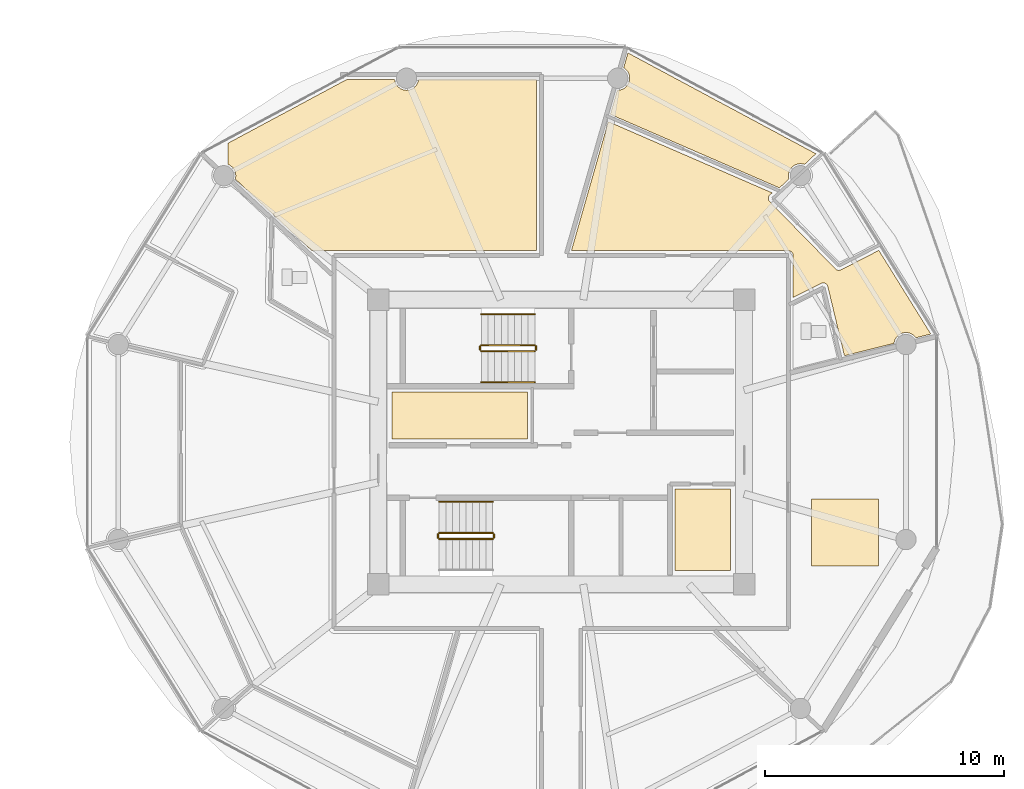
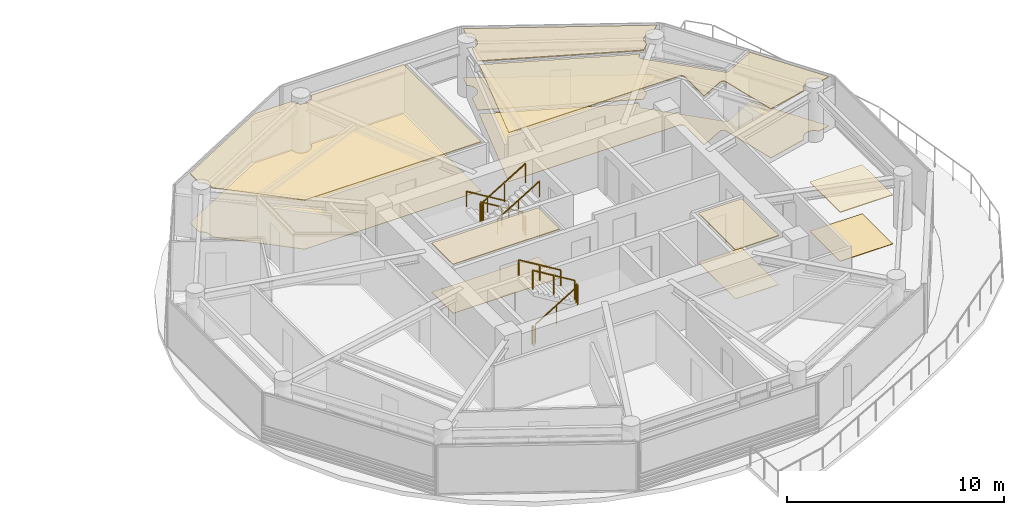
# One storey, part 23 of 25: 12 coverings, 11 railings.
"""IFC4 building model written with IfcOpenShell, lengths in metres."""

from ifc_helpers import new_model, si_unit, direction, frame, origin, origin_2d, place, context, subcontext, project, spatial, polyline, rectangle, outline, extrude, material, layer, layer_set, type_object, element, save


model = new_model("IFC4")

# Units and contexts
model_context = context("Model", 3, precision=1e-05, world=origin(), true_north=direction((0.0, 1.0)))
body_context = subcontext(model_context, "Body", "Model", "MODEL_VIEW")
ifc_project = project(units=[si_unit("LENGTHUNIT", "METRE"), si_unit("AREAUNIT", "SQUARE_METRE"), si_unit("VOLUMEUNIT", "CUBIC_METRE"), si_unit("PLANEANGLEUNIT", "RADIAN"), si_unit("MASSUNIT", "GRAM", prefix="KILO")], contexts=[model_context])

# Site, building, storey
site_placement = place(None, origin())
site = spatial("IfcSite", under=ifc_project, at=site_placement, CompositionType="ELEMENT")
building_placement = place(site_placement, origin())
building = spatial("IfcBuilding", under=site, at=building_placement, Name="Norrkilde Senior Care Towers", CompositionType="ELEMENT")
storey_placement = place(building_placement, frame((0.0, 0.0, 99.300048828125)))
storey = spatial("IfcBuildingStorey", under=building, at=storey_placement, Name="L30", CompositionType="ELEMENT", Elevation=99.300048828125)

# Coverings
ifc_material_1 = material(Name="Nordic Ash Timber", Category="wood")
ifc_layer_1 = layer(ifc_material_1, 0.044921875)
ifc_layer_set_1 = layer_set([ifc_layer_1], Name="Nordic Ash Timber")
covering_type_1 = type_object("IfcCoveringType", Name="Acoustic Ash Timber Slatted Ceiling 45", PredefinedType="CEILING", material=ifc_layer_set_1)
covering_1_placement = place(storey_placement, frame((0.0, 0.0, 2.744873046875)))
element("IfcCovering", 1, at=covering_1_placement, inside=storey, type_object=covering_type_1, Name="L30 Suspended Ceiling 0257", PredefinedType="CEILING", context=body_context, shape_type="SweptSolid", body=[
    extrude(outline(polyline([(20.919921875, 0.1201171875), (20.919921875, 2.090087890625), (26.60009765625, 2.090087890625), (26.60009765625, 0.1201171875), (20.919921875, 0.1201171875)])), origin(), (0.0, 0.0, 1.0), 0.045166015625),
])
covering_2_placement = place(storey_placement, frame((0.0, 0.0, 2.744873046875)))
element("IfcCovering", 2, at=covering_2_placement, inside=storey, type_object=covering_type_1, Name="L30 Suspended Ceiling 0258", PredefinedType="CEILING", context=body_context, shape_type="SweptSolid", body=[
    extrude(outline(polyline([(32.77001953125, -5.3798828125), (32.77001953125, -1.969970703125), (35.080078125, -1.969970703125), (35.080078125, -5.3798828125), (32.77001953125, -5.3798828125)])), origin(), (0.0, 0.0, 1.0), 0.045166015625),
])
covering_3_placement = place(storey_placement, frame((0.0, 0.0, 2.744873046875)))
element("IfcCovering", 3, at=covering_3_placement, inside=storey, type_object=covering_type_1, Name="L30 Suspended Ceiling 0259", PredefinedType="CEILING", context=body_context, shape_type="SweptSolid", body=[
    extrude(outline(polyline([(21.04931640625, 15.08251953125), (21.099853515625, 14.9609375), (21.179931640625, 14.856201171875), (21.28466796875, 14.77587890625), (21.406494140625, 14.7255859375), (21.537109375, 14.708251953125), (21.667724609375, 14.7255859375), (21.78955078125, 14.77587890625), (21.894287109375, 14.856201171875), (21.974365234375, 14.9609375), (22.02490234375, 15.08251953125), (22.036376953125, 15.169921875), (26.97998046875, 15.169921875), (26.97998046875, 8.0), (17.579345703125, 8.0), (14.377685546875, 10.9970703125), (14.381591796875, 11.00634765625), (14.39892578125, 11.136962890625), (14.381591796875, 11.267578125), (14.3310546875, 11.389404296875), (14.2509765625, 11.494140625), (14.146240234375, 11.57421875), (14.070068359375, 11.60595703125), (14.070068359375, 12.496826171875), (19.053466796875, 15.169921875), (21.037841796875, 15.169921875), (21.04931640625, 15.08251953125)])), origin(), (0.0, 0.0, 1.0), 0.045166015625),
])
covering_4_placement = place(storey_placement, frame((0.0, 0.0, 2.744873046875)))
element("IfcCovering", 4, at=covering_4_placement, inside=storey, type_object=covering_type_1, Name="L30 Suspended Ceiling 0268", PredefinedType="CEILING", context=body_context, shape_type="SweptSolid", body=[
    extrude(outline(polyline([(38.4609375, -5.171630859375), (38.4609375, -2.37158203125), (41.260986328125, -2.37158203125), (41.260986328125, -5.171630859375), (38.4609375, -5.171630859375)])), origin(), (0.0, 0.0, 1.0), 0.045166015625),
])
covering_5_placement = place(storey_placement, frame((0.0, 0.0, 2.744873046875)))
element("IfcCovering", 5, at=covering_5_placement, inside=storey, type_object=covering_type_1, Name="L30 Suspended Ceiling 0269", PredefinedType="CEILING", context=body_context, shape_type="SweptSolid", body=[
    extrude(outline(polyline([(37.69287109375, 7.852294921875), (37.689453125, 7.86376953125), (37.68701171875, 7.87109375), (37.682373046875, 7.8818359375), (37.678955078125, 7.888916015625), (37.673583984375, 7.8994140625), (37.66943359375, 7.90625), (37.662841796875, 7.916015625), (37.658203125, 7.92236328125), (37.65087890625, 7.931396484375), (37.6455078125, 7.937255859375), (37.63720703125, 7.945556640625), (37.63134765625, 7.95068359375), (37.622314453125, 7.958251953125), (37.615966796875, 7.962890625), (37.606201171875, 7.969482421875), (37.599365234375, 7.973388671875), (37.589111328125, 7.97900390625), (37.58203125, 7.982421875), (37.571044921875, 7.98681640625), (37.563720703125, 7.989501953125), (37.552490234375, 7.992919921875), (37.544677734375, 7.994873046875), (37.533203125, 7.9970703125), (37.525390625, 7.998291015625), (37.513671875, 7.99951171875), (37.505859375, 7.999755859375), (37.5, 8.0), (28.42724609375, 8.0), (29.97265625, 13.3994140625), (36.825439453125, 10.419677734375), (36.7255859375, 10.32958984375), (36.72119140625, 10.325439453125), (36.716064453125, 10.3203125), (36.7080078125, 10.3115234375), (36.70361328125, 10.305908203125), (36.696533203125, 10.296142578125), (36.692626953125, 10.290283203125), (36.6865234375, 10.280029296875), (36.68310546875, 10.273681640625), (36.677978515625, 10.2626953125), (36.675537109375, 10.25634765625), (36.67138671875, 10.244873046875), (36.66943359375, 10.238037109375), (36.666748046875, 10.226318359375), (36.66552734375, 10.219482421875), (36.663818359375, 10.207275390625), (36.663330078125, 10.200439453125), (36.662841796875, 10.188232421875), (36.6630859375, 10.18115234375), (36.663818359375, 10.169189453125), (36.664794921875, 10.162109375), (36.666748046875, 10.150390625), (36.66845703125, 10.1435546875), (36.671630859375, 10.1318359375), (36.673828125, 10.125), (36.67822265625, 10.11376953125), (36.68115234375, 10.107421875), (36.6865234375, 10.0966796875), (36.690185546875, 10.090576171875), (36.696533203125, 10.080322265625), (36.70068359375, 10.07470703125), (36.708251953125, 10.065185546875), (36.712890625, 10.06005859375), (36.717041015625, 10.0556640625), (39.475341796875, 7.237548828125), (39.4794921875, 7.2333984375), (39.484375, 7.228759765625), (39.493408203125, 7.22119140625), (39.498779296875, 7.217041015625), (39.508544921875, 7.21044921875), (39.514404296875, 7.206787109375), (39.524658203125, 7.201171875), (39.53076171875, 7.1982421875), (39.54150390625, 7.193603515625), (39.5478515625, 7.191162109375), (39.55908203125, 7.187744140625), (39.565673828125, 7.18603515625), (39.5771484375, 7.18359375), (39.583984375, 7.182373046875), (39.595703125, 7.18115234375), (39.6025390625, 7.1806640625), (39.6142578125, 7.180419921875), (39.62109375, 7.1806640625), (39.632568359375, 7.181640625), (39.639404296875, 7.1826171875), (39.65087890625, 7.184814453125), (39.65771484375, 7.186279296875), (39.6689453125, 7.189453125), (39.67529296875, 7.191650390625), (39.686279296875, 7.196044921875), (39.692626953125, 7.19873046875), (39.69775390625, 7.201416015625), (41.28369140625, 8.01513671875), (43.45849609375, 4.515380859375), (42.833740234375, 4.358642578125), (42.776123046875, 4.43359375), (42.671630859375, 4.513671875), (42.5498046875, 4.564208984375), (42.4189453125, 4.581298828125), (42.288330078125, 4.564208984375), (42.16650390625, 4.513671875), (42.06201171875, 4.43359375), (41.981689453125, 4.328857421875), (41.93115234375, 4.20703125), (41.921142578125, 4.129638671875), (39.84521484375, 3.60888671875), (39.14794921875, 6.51025390625), (39.146484375, 6.51611328125), (39.14453125, 6.522705078125), (39.140380859375, 6.533935546875), (39.137939453125, 6.54052734375), (39.1328125, 6.55126953125), (39.129638671875, 6.5576171875), (39.12353515625, 6.56787109375), (39.11962890625, 6.57373046875), (39.112548828125, 6.583251953125), (39.108154296875, 6.588623046875), (39.10009765625, 6.59765625), (39.09521484375, 6.6025390625), (39.086181640625, 6.610595703125), (39.080810546875, 6.614990234375), (39.0712890625, 6.6220703125), (39.0654296875, 6.6259765625), (39.05517578125, 6.632080078125), (39.048828125, 6.63525390625), (39.0380859375, 6.640380859375), (39.03173828125, 6.64306640625), (39.020263671875, 6.64697265625), (39.013671875, 6.64892578125), (39.001953125, 6.65185546875), (38.9951171875, 6.653076171875), (38.9833984375, 6.65478515625), (38.976318359375, 6.6552734375), (38.96435546875, 6.65576171875), (38.957275390625, 6.65576171875), (38.945556640625, 6.655029296875), (38.9384765625, 6.654296875), (38.9267578125, 6.65234375), (38.919921875, 6.65087890625), (38.908203125, 6.647705078125), (38.901611328125, 6.6455078125), (38.890380859375, 6.641357421875), (38.884033203125, 6.638427734375), (38.878662109375, 6.635986328125), (37.699951171875, 6.05029296875), (37.699951171875, 7.800048828125), (37.699951171875, 7.805908203125), (37.699462890625, 7.813720703125), (37.6982421875, 7.825439453125), (37.697265625, 7.833251953125), (37.69482421875, 7.8447265625), (37.69287109375, 7.852294921875)])), origin(), (0.0, 0.0, 1.0), 0.045166015625),
])
covering_6_placement = place(storey_placement, frame((0.0, 0.0, 2.744873046875)))
element("IfcCovering", 6, at=covering_6_placement, inside=storey, type_object=covering_type_1, Name="L30 Suspended Ceiling 0272", PredefinedType="CEILING", context=body_context, shape_type="SweptSolid", body=[
    extrude(outline(polyline([(38.17578125, 11.608642578125), (38.136962890625, 11.624755859375), (38.006103515625, 11.641845703125), (37.87548828125, 11.624755859375), (37.753662109375, 11.57421875), (37.649169921875, 11.494140625), (37.56884765625, 11.389404296875), (37.518310546875, 11.267578125), (37.501220703125, 11.136962890625), (37.518310546875, 11.00634765625), (37.522216796875, 10.9970703125), (37.126708984375, 10.626708984375), (30.058837890625, 13.7001953125), (30.347900390625, 14.710205078125), (30.36279296875, 14.708251953125), (30.49365234375, 14.7255859375), (30.615478515625, 14.77587890625), (30.719970703125, 14.856201171875), (30.80029296875, 14.9609375), (30.8505859375, 15.08251953125), (30.867919921875, 15.21337890625), (30.8505859375, 15.343994140625), (30.80029296875, 15.4658203125), (30.719970703125, 15.5703125), (30.616943359375, 15.649658203125), (30.794677734375, 16.270751953125), (38.65283203125, 12.055419921875), (38.17578125, 11.608642578125)])), origin(), (0.0, 0.0, 1.0), 0.045166015625),
])
ifc_material_2 = material(Name="Slip-Resistant Porcelain Stone", Category="masonry")
ifc_layer_2 = layer(ifc_material_2, 0.02490234375)
ifc_layer_set_2 = layer_set([ifc_layer_2], Name="Slip-Resistant Porcelain Stone")
covering_type_2 = type_object("IfcCoveringType", Name="Slip-Resistant Porcelain Flooring 25", PredefinedType="FLOORING", material=ifc_layer_set_2)
covering_7_placement = place(storey_placement, origin())
element("IfcCovering", 7, at=covering_7_placement, inside=storey, type_object=covering_type_2, Name="L30 Floor Finish 0257", PredefinedType="FLOORING", context=body_context, shape_type="SweptSolid", body=[
    extrude(outline(polyline([(20.919921875, 0.1201171875), (20.919921875, 2.090087890625), (26.60009765625, 2.090087890625), (26.60009765625, 0.1201171875), (20.919921875, 0.1201171875)])), origin(), (0.0, 0.0, 1.0), 0.02490234375),
])
covering_8_placement = place(storey_placement, origin())
element("IfcCovering", 8, at=covering_8_placement, inside=storey, type_object=covering_type_2, Name="L30 Floor Finish 0258", PredefinedType="FLOORING", context=body_context, shape_type="SweptSolid", body=[
    extrude(outline(polyline([(32.77001953125, -5.3798828125), (32.77001953125, -1.969970703125), (35.080078125, -1.969970703125), (35.080078125, -5.3798828125), (32.77001953125, -5.3798828125)])), origin(), (0.0, 0.0, 1.0), 0.02490234375),
])
covering_9_placement = place(storey_placement, origin())
element("IfcCovering", 9, at=covering_9_placement, inside=storey, type_object=covering_type_2, Name="L30 Floor Finish 0259", PredefinedType="FLOORING", context=body_context, shape_type="SweptSolid", body=[
    extrude(outline(polyline([(21.04931640625, 15.08251953125), (21.099853515625, 14.9609375), (21.179931640625, 14.856201171875), (21.28466796875, 14.77587890625), (21.406494140625, 14.7255859375), (21.537109375, 14.708251953125), (21.667724609375, 14.7255859375), (21.78955078125, 14.77587890625), (21.894287109375, 14.856201171875), (21.974365234375, 14.9609375), (22.02490234375, 15.08251953125), (22.036376953125, 15.169921875), (26.97998046875, 15.169921875), (26.97998046875, 8.0), (17.579345703125, 8.0), (14.377685546875, 10.9970703125), (14.381591796875, 11.00634765625), (14.39892578125, 11.136962890625), (14.381591796875, 11.267578125), (14.3310546875, 11.389404296875), (14.2509765625, 11.494140625), (14.146240234375, 11.57421875), (14.070068359375, 11.60595703125), (14.070068359375, 12.496826171875), (19.053466796875, 15.169921875), (21.037841796875, 15.169921875), (21.04931640625, 15.08251953125)])), origin(), (0.0, 0.0, 1.0), 0.02490234375),
])
covering_10_placement = place(storey_placement, origin())
element("IfcCovering", 10, at=covering_10_placement, inside=storey, type_object=covering_type_2, Name="L30 Floor Finish 0268", PredefinedType="FLOORING", context=body_context, shape_type="SweptSolid", body=[
    extrude(outline(polyline([(38.4609375, -5.171630859375), (38.4609375, -2.37158203125), (41.260986328125, -2.37158203125), (41.260986328125, -5.171630859375), (38.4609375, -5.171630859375)])), origin(), (0.0, 0.0, 1.0), 0.02490234375),
])
covering_11_placement = place(storey_placement, origin())
element("IfcCovering", 11, at=covering_11_placement, inside=storey, type_object=covering_type_2, Name="L30 Floor Finish 0269", PredefinedType="FLOORING", context=body_context, shape_type="SweptSolid", body=[
    extrude(outline(polyline([(37.69287109375, 7.852294921875), (37.689453125, 7.86376953125), (37.68701171875, 7.87109375), (37.682373046875, 7.8818359375), (37.678955078125, 7.888916015625), (37.673583984375, 7.8994140625), (37.66943359375, 7.90625), (37.662841796875, 7.916015625), (37.658203125, 7.92236328125), (37.65087890625, 7.931396484375), (37.6455078125, 7.937255859375), (37.63720703125, 7.945556640625), (37.63134765625, 7.95068359375), (37.622314453125, 7.958251953125), (37.615966796875, 7.962890625), (37.606201171875, 7.969482421875), (37.599365234375, 7.973388671875), (37.589111328125, 7.97900390625), (37.58203125, 7.982421875), (37.571044921875, 7.98681640625), (37.563720703125, 7.989501953125), (37.552490234375, 7.992919921875), (37.544677734375, 7.994873046875), (37.533203125, 7.9970703125), (37.525390625, 7.998291015625), (37.513671875, 7.99951171875), (37.505859375, 7.999755859375), (37.5, 8.0), (28.42724609375, 8.0), (29.97265625, 13.3994140625), (36.825439453125, 10.419677734375), (36.7255859375, 10.32958984375), (36.72119140625, 10.325439453125), (36.716064453125, 10.3203125), (36.7080078125, 10.3115234375), (36.70361328125, 10.305908203125), (36.696533203125, 10.296142578125), (36.692626953125, 10.290283203125), (36.6865234375, 10.280029296875), (36.68310546875, 10.273681640625), (36.677978515625, 10.2626953125), (36.675537109375, 10.25634765625), (36.67138671875, 10.244873046875), (36.66943359375, 10.238037109375), (36.666748046875, 10.226318359375), (36.66552734375, 10.219482421875), (36.663818359375, 10.207275390625), (36.663330078125, 10.200439453125), (36.662841796875, 10.188232421875), (36.6630859375, 10.18115234375), (36.663818359375, 10.169189453125), (36.664794921875, 10.162109375), (36.666748046875, 10.150390625), (36.66845703125, 10.1435546875), (36.671630859375, 10.1318359375), (36.673828125, 10.125), (36.67822265625, 10.11376953125), (36.68115234375, 10.107421875), (36.6865234375, 10.0966796875), (36.690185546875, 10.090576171875), (36.696533203125, 10.080322265625), (36.70068359375, 10.07470703125), (36.708251953125, 10.065185546875), (36.712890625, 10.06005859375), (36.717041015625, 10.0556640625), (39.475341796875, 7.237548828125), (39.4794921875, 7.2333984375), (39.484375, 7.228759765625), (39.493408203125, 7.22119140625), (39.498779296875, 7.217041015625), (39.508544921875, 7.21044921875), (39.514404296875, 7.206787109375), (39.524658203125, 7.201171875), (39.53076171875, 7.1982421875), (39.54150390625, 7.193603515625), (39.5478515625, 7.191162109375), (39.55908203125, 7.187744140625), (39.565673828125, 7.18603515625), (39.5771484375, 7.18359375), (39.583984375, 7.182373046875), (39.595703125, 7.18115234375), (39.6025390625, 7.1806640625), (39.6142578125, 7.180419921875), (39.62109375, 7.1806640625), (39.632568359375, 7.181640625), (39.639404296875, 7.1826171875), (39.65087890625, 7.184814453125), (39.65771484375, 7.186279296875), (39.6689453125, 7.189453125), (39.67529296875, 7.191650390625), (39.686279296875, 7.196044921875), (39.692626953125, 7.19873046875), (39.69775390625, 7.201416015625), (41.28369140625, 8.01513671875), (43.45849609375, 4.515380859375), (42.833740234375, 4.358642578125), (42.776123046875, 4.43359375), (42.671630859375, 4.513671875), (42.5498046875, 4.564208984375), (42.4189453125, 4.581298828125), (42.288330078125, 4.564208984375), (42.16650390625, 4.513671875), (42.06201171875, 4.43359375), (41.981689453125, 4.328857421875), (41.93115234375, 4.20703125), (41.921142578125, 4.129638671875), (39.84521484375, 3.60888671875), (39.14794921875, 6.51025390625), (39.146484375, 6.51611328125), (39.14453125, 6.522705078125), (39.140380859375, 6.533935546875), (39.137939453125, 6.54052734375), (39.1328125, 6.55126953125), (39.129638671875, 6.5576171875), (39.12353515625, 6.56787109375), (39.11962890625, 6.57373046875), (39.112548828125, 6.583251953125), (39.108154296875, 6.588623046875), (39.10009765625, 6.59765625), (39.09521484375, 6.6025390625), (39.086181640625, 6.610595703125), (39.080810546875, 6.614990234375), (39.0712890625, 6.6220703125), (39.0654296875, 6.6259765625), (39.05517578125, 6.632080078125), (39.048828125, 6.63525390625), (39.0380859375, 6.640380859375), (39.03173828125, 6.64306640625), (39.020263671875, 6.64697265625), (39.013671875, 6.64892578125), (39.001953125, 6.65185546875), (38.9951171875, 6.653076171875), (38.9833984375, 6.65478515625), (38.976318359375, 6.6552734375), (38.96435546875, 6.65576171875), (38.957275390625, 6.65576171875), (38.945556640625, 6.655029296875), (38.9384765625, 6.654296875), (38.9267578125, 6.65234375), (38.919921875, 6.65087890625), (38.908203125, 6.647705078125), (38.901611328125, 6.6455078125), (38.890380859375, 6.641357421875), (38.884033203125, 6.638427734375), (38.878662109375, 6.635986328125), (37.699951171875, 6.05029296875), (37.699951171875, 7.800048828125), (37.699951171875, 7.805908203125), (37.699462890625, 7.813720703125), (37.6982421875, 7.825439453125), (37.697265625, 7.833251953125), (37.69482421875, 7.8447265625), (37.69287109375, 7.852294921875)])), origin(), (0.0, 0.0, 1.0), 0.02490234375),
])
covering_12_placement = place(storey_placement, origin())
element("IfcCovering", 12, at=covering_12_placement, inside=storey, type_object=covering_type_2, Name="L30 Floor Finish 0272", PredefinedType="FLOORING", context=body_context, shape_type="SweptSolid", body=[
    extrude(outline(polyline([(38.17578125, 11.608642578125), (38.136962890625, 11.624755859375), (38.006103515625, 11.641845703125), (37.87548828125, 11.624755859375), (37.753662109375, 11.57421875), (37.649169921875, 11.494140625), (37.56884765625, 11.389404296875), (37.518310546875, 11.267578125), (37.501220703125, 11.136962890625), (37.518310546875, 11.00634765625), (37.522216796875, 10.9970703125), (37.126708984375, 10.626708984375), (30.058837890625, 13.7001953125), (30.347900390625, 14.710205078125), (30.36279296875, 14.708251953125), (30.49365234375, 14.7255859375), (30.615478515625, 14.77587890625), (30.719970703125, 14.856201171875), (30.80029296875, 14.9609375), (30.8505859375, 15.08251953125), (30.867919921875, 15.21337890625), (30.8505859375, 15.343994140625), (30.80029296875, 15.4658203125), (30.719970703125, 15.5703125), (30.616943359375, 15.649658203125), (30.794677734375, 16.270751953125), (38.65283203125, 12.055419921875), (38.17578125, 11.608642578125)])), origin(), (0.0, 0.0, 1.0), 0.02490234375),
])

# Railings
ifc_material_3 = material(Name="Stainless Steel", Category="steel")
railing_type_1 = type_object("IfcRailingType", Name="Stair and Terrace Guardrail 1100", PredefinedType="GUARDRAIL", material=ifc_material_3)
railing_1_placement = place(storey_placement, frame((26.89990234375, 4.050048828125, 0.16943359375)))
element("IfcRailing", 13, at=railing_1_placement, inside=storey, type_object=railing_type_1, Name="L30 ST-E1 stair guard 1", PredefinedType="GUARDRAIL", context=body_context, shape_type="SweptSolid", body=[
    extrude(rectangle(XDim=0.048095703125, YDim=0.048095703125, at=origin_2d()), frame((0.0, 0.0, 1.076171875), z_axis=(-0.855553338991, 0.0, 0.51771467445), x_axis=(0.0, -1.0, 0.0)), (0.0, 0.0, 1.0), 2.6181640625),
    extrude(rectangle(XDim=0.0419921875, YDim=0.0419921875, at=origin_2d()), origin(), (0.0, 0.0, 1.0), 1.050048828125),
    extrude(rectangle(XDim=0.0419921875, YDim=0.0419921875, at=origin_2d()), frame((-1.1201171875, 0.0, 0.677734375)), (0.0, 0.0, 1.0), 1.050048828125),
    extrude(rectangle(XDim=0.0419921875, YDim=0.0419921875, at=origin_2d()), frame((-2.239990234375, 0.0, 1.35546875)), (0.0, 0.0, 1.0), 1.050048828125),
])
railing_2_placement = place(storey_placement, frame((24.610107421875, 4.0, 1.52490234375)))
element("IfcRailing", 14, at=railing_2_placement, inside=storey, type_object=railing_type_1, Name="L30 ST-E1 stair guard 2", PredefinedType="GUARDRAIL", context=body_context, shape_type="SweptSolid", body=[
    extrude(rectangle(XDim=0.048095703125, YDim=0.048095703125, at=origin_2d()), frame((0.0, 0.0, 1.076171875), z_axis=(0.0, -1.0, 0.0), x_axis=(1.0, 0.0, 0.0)), (0.0, 0.0, 1.0), 0.14990234375),
    extrude(rectangle(XDim=0.0419921875, YDim=0.0419921875, at=origin_2d()), origin(), (0.0, 0.0, 1.0), 1.050048828125),
    extrude(rectangle(XDim=0.0419921875, YDim=0.0419921875, at=origin_2d()), frame((0.0, -0.14990234375, 0.0)), (0.0, 0.0, 1.0), 1.050048828125),
])
railing_3_placement = place(storey_placement, frame((24.659912109375, 3.800048828125, 1.6943359375)))
element("IfcRailing", 15, at=railing_3_placement, inside=storey, type_object=railing_type_1, Name="L30 ST-E1 stair guard 3", PredefinedType="GUARDRAIL", context=body_context, shape_type="SweptSolid", body=[
    extrude(rectangle(XDim=0.048095703125, YDim=0.048095703125, at=origin_2d()), frame((0.0, 0.0, 1.076171875), z_axis=(0.855512035549, 0.0, 0.517782924622), x_axis=(0.0, 1.0, 0.0)), (0.0, 0.0, 1.0), 2.618408203125),
    extrude(rectangle(XDim=0.0419921875, YDim=0.0419921875, at=origin_2d()), origin(), (0.0, 0.0, 1.0), 1.050048828125),
    extrude(rectangle(XDim=0.0419921875, YDim=0.0419921875, at=origin_2d()), frame((1.1201171875, 0.0, 0.677734375)), (0.0, 0.0, 1.0), 1.050048828125),
    extrude(rectangle(XDim=0.0419921875, YDim=0.0419921875, at=origin_2d()), frame((2.239990234375, 0.0, 1.355712890625)), (0.0, 0.0, 1.0), 1.050048828125),
])
railing_4_placement = place(storey_placement, frame((26.949951171875, 4.0, 0.0)))
element("IfcRailing", 16, at=railing_4_placement, inside=storey, type_object=railing_type_1, Name="L30 ST-E1 stair guard 4", PredefinedType="GUARDRAIL", context=body_context, shape_type="SweptSolid", body=[
    extrude(rectangle(XDim=0.048095703125, YDim=0.048095703125, at=origin_2d()), frame((0.0, 0.0, 1.076171875), z_axis=(0.0, -1.0, 0.0), x_axis=(1.0, 0.0, 0.0)), (0.0, 0.0, 1.0), 0.14990234375),
    extrude(rectangle(XDim=0.0419921875, YDim=0.0419921875, at=origin_2d()), origin(), (0.0, 0.0, 1.0), 1.050048828125),
    extrude(rectangle(XDim=0.0419921875, YDim=0.0419921875, at=origin_2d()), frame((0.0, -0.14990234375, 0.0)), (0.0, 0.0, 1.0), 1.050048828125),
])
railing_5_placement = place(storey_placement, frame((22.89990234375, -4.050048828125, 0.16943359375)))
element("IfcRailing", 17, at=railing_5_placement, inside=storey, type_object=railing_type_1, Name="L30 ST-E2 stair guard 1", PredefinedType="GUARDRAIL", context=body_context, shape_type="SweptSolid", body=[
    extrude(rectangle(XDim=0.048095703125, YDim=0.048095703125, at=origin_2d()), frame((0.0, 0.0, 1.076171875), z_axis=(0.855553338991, 0.0, 0.51771467445), x_axis=(0.0, 1.0, 0.0)), (0.0, 0.0, 1.0), 2.6181640625),
    extrude(rectangle(XDim=0.0419921875, YDim=0.0419921875, at=origin_2d()), origin(), (0.0, 0.0, 1.0), 1.050048828125),
    extrude(rectangle(XDim=0.0419921875, YDim=0.0419921875, at=origin_2d()), frame((1.1201171875, 0.0, 0.677734375)), (0.0, 0.0, 1.0), 1.050048828125),
    extrude(rectangle(XDim=0.0419921875, YDim=0.0419921875, at=origin_2d()), frame((2.239990234375, 0.0, 1.35546875)), (0.0, 0.0, 1.0), 1.050048828125),
])
railing_6_placement = place(storey_placement, frame((25.18994140625, -4.0, 1.52490234375)))
element("IfcRailing", 18, at=railing_6_placement, inside=storey, type_object=railing_type_1, Name="L30 ST-E2 stair guard 2", PredefinedType="GUARDRAIL", context=body_context, shape_type="SweptSolid", body=[
    extrude(rectangle(XDim=0.048095703125, YDim=0.048095703125, at=origin_2d()), frame((0.0, 0.0, 1.076171875), z_axis=(0.0, 1.0, 0.0), x_axis=(-1.0, 0.0, 0.0)), (0.0, 0.0, 1.0), 0.14990234375),
    extrude(rectangle(XDim=0.0419921875, YDim=0.0419921875, at=origin_2d()), origin(), (0.0, 0.0, 1.0), 1.050048828125),
    extrude(rectangle(XDim=0.0419921875, YDim=0.0419921875, at=origin_2d()), frame((0.0, 0.14990234375, 0.0)), (0.0, 0.0, 1.0), 1.050048828125),
])
railing_7_placement = place(storey_placement, frame((25.139892578125, -3.800048828125, 1.6943359375)))
element("IfcRailing", 19, at=railing_7_placement, inside=storey, type_object=railing_type_1, Name="L30 ST-E2 stair guard 3", PredefinedType="GUARDRAIL", context=body_context, shape_type="SweptSolid", body=[
    extrude(rectangle(XDim=0.048095703125, YDim=0.048095703125, at=origin_2d()), frame((0.0, 0.0, 1.076171875), z_axis=(-0.855512035549, 0.0, 0.517782924622), x_axis=(0.0, -1.0, 0.0)), (0.0, 0.0, 1.0), 2.618408203125),
    extrude(rectangle(XDim=0.0419921875, YDim=0.0419921875, at=origin_2d()), origin(), (0.0, 0.0, 1.0), 1.050048828125),
    extrude(rectangle(XDim=0.0419921875, YDim=0.0419921875, at=origin_2d()), frame((-1.1201171875, 0.0, 0.677734375)), (0.0, 0.0, 1.0), 1.050048828125),
    extrude(rectangle(XDim=0.0419921875, YDim=0.0419921875, at=origin_2d()), frame((-2.239990234375, 0.0, 1.355712890625)), (0.0, 0.0, 1.0), 1.050048828125),
])
railing_8_placement = place(storey_placement, frame((22.85009765625, -4.0, 0.0)))
element("IfcRailing", 20, at=railing_8_placement, inside=storey, type_object=railing_type_1, Name="L30 ST-E2 stair guard 4", PredefinedType="GUARDRAIL", context=body_context, shape_type="SweptSolid", body=[
    extrude(rectangle(XDim=0.048095703125, YDim=0.048095703125, at=origin_2d()), frame((0.0, 0.0, 1.076171875), z_axis=(0.0, 1.0, 0.0), x_axis=(-1.0, 0.0, 0.0)), (0.0, 0.0, 1.0), 0.14990234375),
    extrude(rectangle(XDim=0.0419921875, YDim=0.0419921875, at=origin_2d()), origin(), (0.0, 0.0, 1.0), 1.050048828125),
    extrude(rectangle(XDim=0.0419921875, YDim=0.0419921875, at=origin_2d()), frame((0.0, 0.14990234375, 0.0)), (0.0, 0.0, 1.0), 1.050048828125),
])
railing_type_2 = type_object("IfcRailingType", Name="Wall and Stair Handrail 900", PredefinedType="HANDRAIL", material=ifc_material_1)
railing_9_placement = place(storey_placement, frame((26.89990234375, 5.35009765625, 0.16943359375)))
element("IfcRailing", 21, at=railing_9_placement, inside=storey, type_object=railing_type_2, Name="L30 ST-E1 stair handrail 1", PredefinedType="HANDRAIL", context=body_context, shape_type="SweptSolid", body=[
    extrude(rectangle(XDim=0.048095703125, YDim=0.048095703125, at=origin_2d()), frame((0.0, 0.0, 0.8759765625), z_axis=(-0.855553338991, 0.0, 0.51771467445), x_axis=(0.0, -1.0, 0.0)), (0.0, 0.0, 1.0), 2.6181640625),
    extrude(rectangle(XDim=0.0419921875, YDim=0.0419921875, at=origin_2d()), origin(), (0.0, 0.0, 1.0), 0.849853515625),
    extrude(rectangle(XDim=0.0419921875, YDim=0.0419921875, at=origin_2d()), frame((-1.1201171875, 0.0, 0.677734375)), (0.0, 0.0, 1.0), 0.849853515625),
    extrude(rectangle(XDim=0.0419921875, YDim=0.0419921875, at=origin_2d()), frame((-2.239990234375, 0.0, 1.35546875)), (0.0, 0.0, 1.0), 0.849853515625),
])
railing_10_placement = place(storey_placement, frame((24.659912109375, 2.5, 1.6943359375)))
element("IfcRailing", 22, at=railing_10_placement, inside=storey, type_object=railing_type_2, Name="L30 ST-E1 stair handrail 2", PredefinedType="HANDRAIL", context=body_context, shape_type="SweptSolid", body=[
    extrude(rectangle(XDim=0.048095703125, YDim=0.048095703125, at=origin_2d()), frame((0.0, 0.0, 0.8759765625), z_axis=(0.855512035549, 0.0, 0.517782924622), x_axis=(0.0, 1.0, 0.0)), (0.0, 0.0, 1.0), 2.618408203125),
    extrude(rectangle(XDim=0.0419921875, YDim=0.0419921875, at=origin_2d()), origin(), (0.0, 0.0, 1.0), 0.849853515625),
    extrude(rectangle(XDim=0.0419921875, YDim=0.0419921875, at=origin_2d()), frame((1.1201171875, 0.0, 0.677734375)), (0.0, 0.0, 1.0), 0.849853515625),
    extrude(rectangle(XDim=0.0419921875, YDim=0.0419921875, at=origin_2d()), frame((2.239990234375, 0.0, 1.355712890625)), (0.0, 0.0, 1.0), 0.849853515625),
])
railing_11_placement = place(storey_placement, frame((25.139892578125, -2.5, 1.6943359375)))
element("IfcRailing", 23, at=railing_11_placement, inside=storey, type_object=railing_type_2, Name="L30 ST-E2 stair handrail 2", PredefinedType="HANDRAIL", context=body_context, shape_type="SweptSolid", body=[
    extrude(rectangle(XDim=0.048095703125, YDim=0.048095703125, at=origin_2d()), frame((0.0, 0.0, 0.8759765625), z_axis=(-0.855512035549, 0.0, 0.517782924622), x_axis=(0.0, -1.0, 0.0)), (0.0, 0.0, 1.0), 2.618408203125),
    extrude(rectangle(XDim=0.0419921875, YDim=0.0419921875, at=origin_2d()), origin(), (0.0, 0.0, 1.0), 0.849853515625),
    extrude(rectangle(XDim=0.0419921875, YDim=0.0419921875, at=origin_2d()), frame((-1.1201171875, 0.0, 0.677734375)), (0.0, 0.0, 1.0), 0.849853515625),
    extrude(rectangle(XDim=0.0419921875, YDim=0.0419921875, at=origin_2d()), frame((-2.239990234375, 0.0, 1.355712890625)), (0.0, 0.0, 1.0), 0.849853515625),
])

save(model, "model.ifc")
